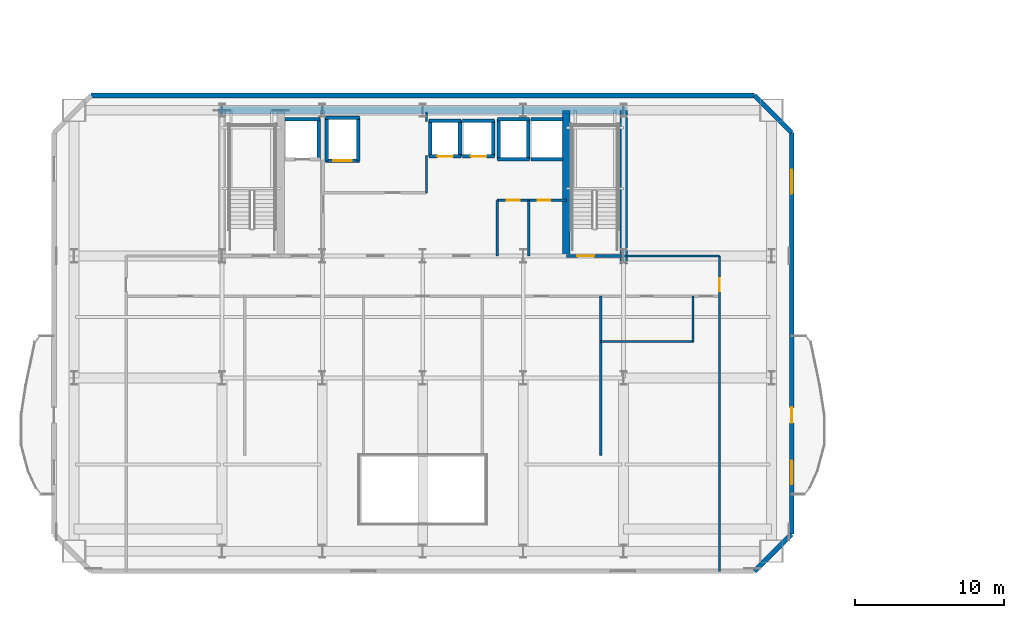
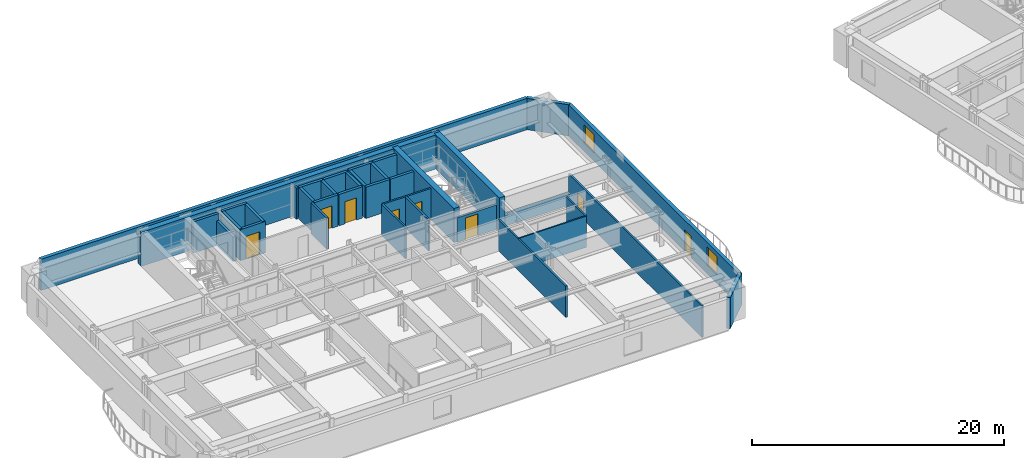
# One storey, part 8 of 16: 37 walls, 8 doors, 2 windows, 10 openings.
"""IFC4 building model written with IfcOpenShell, lengths in metres."""

from ifc_helpers import new_model, si_unit, direction, frame, frame_2d, origin, place, context, subcontext, project, spatial, rectangle, extrude, material, layer, layer_set, type_object, element, fill, save


model = new_model("IFC4")

# Units and contexts
model_context = context("Model", 3, precision=1e-05, world=origin(), true_north=direction((0.0, 1.0)))
body_context = subcontext(model_context, "Body", "Model", "MODEL_VIEW")
ifc_project = project(units=[si_unit("LENGTHUNIT", "METRE"), si_unit("AREAUNIT", "SQUARE_METRE"), si_unit("VOLUMEUNIT", "CUBIC_METRE"), si_unit("PLANEANGLEUNIT", "RADIAN"), si_unit("MASSUNIT", "GRAM", prefix="KILO")], contexts=[model_context])

# Site, building, storey
site_placement = place(None, origin())
site = spatial("IfcSite", under=ifc_project, at=site_placement, CompositionType="ELEMENT")
building_placement = place(site_placement, origin())
building = spatial("IfcBuilding", under=site, at=building_placement, Name="Haevon Station Towers", CompositionType="ELEMENT")
storey_placement = place(building_placement, frame((0.0, 0.0, 90.0)))
storey = spatial("IfcBuildingStorey", under=building, at=storey_placement, Name="L23", CompositionType="ELEMENT", Elevation=90.0)

# Wall, opening, door
ifc_material_1 = material(Name="Gypsum board on steel stud", Category="steel")
ifc_layer_1 = layer(ifc_material_1, 0.199951171875)
ifc_layer_set_1 = layer_set([ifc_layer_1], Name="Gypsum board on steel stud")
wall_type_1 = type_object("IfcWallType", Name="WL-COR200", PredefinedType="PARTITIONING", material=ifc_layer_set_1)
wall_1_placement = place(storey_placement, frame((47.14990234375, 38.199951171875, 0.0), z_axis=(0.0, 0.0, 1.0), x_axis=(1.0, 0.0, 0.0)))
wall_1 = element("IfcWall", 1, at=wall_1_placement, inside=storey, type_object=wall_type_1, Name="WL-ST-ST2-L23", PredefinedType="PARTITIONING", context=body_context, shape_type="SweptSolid", body=[
    extrude(rectangle(XDim=3.85009765625, YDim=0.199951171875, at=frame_2d((1.925048828125, 0.0))), origin(), (0.0, 0.0, 1.0), 2.3798828125),
])
opening_1_placement = place(wall_1_placement, frame((0.75, 0.0, 0.0)))
opening_1 = element("IfcOpeningElement", 2, at=opening_1_placement, cuts=wall_1, Name="Opening DR-ST-ST2-L23", PredefinedType="OPENING", context=body_context, shape_type="SweptSolid", body=[
    extrude(rectangle(XDim=1.1201171875, YDim=2.10009765625, at=frame_2d((0.56005859375, 1.050048828125))), frame((0.0, 0.10986328125, 0.0), z_axis=(0.0, -1.0, 0.0), x_axis=(1.0, 0.0, 0.0)), (0.0, 0.0, 1.0), 0.219970703125),
])
ifc_material_2 = material(Name="Engineered oak timber", Category="wood")
door_type_1 = type_object("IfcDoorType", Name="DR-ST-1120", OperationType="NOTDEFINED", PredefinedType="DOOR", material=ifc_material_2)
door_1_placement = place(opening_1_placement, origin())
door_1 = element("IfcDoor", 3, at=door_1_placement, inside=storey, type_object=door_type_1, Name="L23 Escape Stair ST2 Fire Door", OperationType="SINGLE_SWING_RIGHT", OverallHeight=2.10009765625, OverallWidth=1.1201171875, PredefinedType="DOOR", context=body_context, shape_type="SweptSolid", body=[
    extrude(rectangle(XDim=1.1201171875, YDim=2.10009765625, at=frame_2d((0.56005859375, 1.050048828125))), frame((0.0, 0.02490234375, 0.0), z_axis=(0.0, -1.0, 0.0), x_axis=(1.0, 0.0, 0.0)), (0.0, 0.0, 1.0), 0.050048828125),
])
fill(opening_1, door_1)

# Walls
ifc_material_3 = material(Name="Concrete C60/75", Category="concrete")
ifc_layer_2 = layer(ifc_material_3, 0.5)
ifc_layer_set_2 = layer_set([ifc_layer_2], Name="Concrete C60/75")
wall_type_2 = type_object("IfcWallType", Name="WL-CR500", PredefinedType="SHEAR", material=ifc_layer_set_2)
wall_2_placement = place(storey_placement, frame((23.75, 48.0, 0.0), z_axis=(0.0, 0.0, 1.0), x_axis=(1.0, 0.0, 0.0)))
element("IfcWall", 4, at=wall_2_placement, inside=storey, type_object=wall_type_2, Name="WL-T1CR-L23-N", PredefinedType="SHEAR", context=body_context, shape_type="SweptSolid", body=[
    extrude(rectangle(XDim=27.5, YDim=0.5, at=frame_2d((13.75, 0.0))), origin(), (0.0, 0.0, 1.0), 3.300048828125),
])
wall_3_placement = place(storey_placement, frame((51.0, 37.679931640625, 0.0), z_axis=(0.0, 0.0, 1.0), x_axis=(0.0, 1.0, 0.0)))
element("IfcWall", 5, at=wall_3_placement, inside=storey, type_object=wall_type_2, Name="WL-T1CR-L23-E", PredefinedType="SHEAR", context=body_context, shape_type="SweptSolid", body=[
    extrude(rectangle(XDim=10.320068359375, YDim=0.5, at=frame_2d((5.16015625, 0.0))), origin(), (0.0, 0.0, 1.0), 3.300048828125),
])
wall_4_placement = place(storey_placement, frame((47.14990234375, 38.199951171875, 0.0), z_axis=(0.0, 0.0, 1.0), x_axis=(0.0, 1.0, 0.0)))
element("IfcWall", 6, at=wall_4_placement, inside=storey, type_object=wall_type_2, Name="WL-T1CR-L23-M2", PredefinedType="SHEAR", context=body_context, shape_type="SweptSolid", body=[
    extrude(rectangle(XDim=9.800048828125, YDim=0.5, at=frame_2d((4.89990234375, 0.0))), origin(), (0.0, 0.0, 1.0), 3.300048828125),
])
ifc_material_4 = material(Name="Precast concrete C45/55", Category="concrete")
ifc_layer_3 = layer(ifc_material_4, 0.320068359375)
ifc_layer_set_3 = layer_set([ifc_layer_3], Name="Precast concrete C45/55")
wall_type_3 = type_object("IfcWallType", Name="WL-EXT-PIER320", PredefinedType="SOLIDWALL", material=ifc_layer_set_3)
wall_5_placement = place(storey_placement, frame((15.199951171875, 49.0, 0.0), z_axis=(0.0, 0.0, 1.0), x_axis=(1.0, 0.0, 0.0)))
element("IfcWall", 7, at=wall_5_placement, inside=storey, type_object=wall_type_3, Name="WL-T1-L23-N", PredefinedType="SOLIDWALL", context=body_context, shape_type="SweptSolid", body=[
    extrude(rectangle(XDim=44.60009765625, YDim=0.320068359375, at=frame_2d((22.300048828125, 0.0))), origin(), (0.0, 0.0, 1.0), 3.030029296875),
])
wall_6_placement = place(storey_placement, frame((59.800048828125, 49.0, 0.0), z_axis=(0.0, 0.0, 1.0), x_axis=(0.707106781187, -0.707106781187, 0.0)))
element("IfcWall", 8, at=wall_6_placement, inside=storey, type_object=wall_type_3, Name="WL-T1-L23-NEC", PredefinedType="SOLIDWALL", context=body_context, shape_type="SweptSolid", body=[
    extrude(rectangle(XDim=3.53564453125, YDim=0.320068359375, at=frame_2d((1.767822265625, 0.0))), origin(), (0.0, 0.0, 1.0), 3.030029296875),
])

# Wall, openings, door, windows
wall_7_placement = place(storey_placement, frame((62.300048828125, 46.5, 0.0), z_axis=(0.0, 0.0, 1.0), x_axis=(0.0, -1.0, 0.0)))
wall_7 = element("IfcWall", 9, at=wall_7_placement, inside=storey, type_object=wall_type_3, Name="WL-T1-L23-E", PredefinedType="SOLIDWALL", context=body_context, shape_type="SweptSolid", body=[
    extrude(rectangle(XDim=27.0, YDim=0.320068359375, at=frame_2d((13.5, 0.0))), origin(), (0.0, 0.0, 1.0), 3.030029296875),
])
opening_2_placement = place(wall_7_placement, frame((18.47509765625, 0.0, 0.0)))
opening_2 = element("IfcOpeningElement", 10, at=opening_2_placement, cuts=wall_7, Name="Opening DR-T1-SCAL-L23-E", PredefinedType="OPENING", context=body_context, shape_type="SweptSolid", body=[
    extrude(rectangle(XDim=1.050048828125, YDim=2.10009765625, at=frame_2d((0.52490234375, 1.050048828125))), frame((0.0, 0.169921875, 0.0), z_axis=(0.0, -1.0, 0.0), x_axis=(1.0, 0.0, 0.0)), (0.0, 0.0, 1.0), 0.340087890625),
])
opening_3_placement = place(wall_7_placement, frame((2.5, 0.0, 0.800048828125)))
opening_3 = element("IfcOpeningElement", 11, at=opening_3_placement, cuts=wall_7, Name="Opening WN-END160", PredefinedType="OPENING", context=body_context, shape_type="SweptSolid", body=[
    extrude(rectangle(XDim=1.60009765625, YDim=1.800048828125, at=frame_2d((0.800048828125, 0.89990234375))), frame((0.0, 0.169921875, 0.0), z_axis=(0.0, -1.0, 0.0), x_axis=(1.0, 0.0, 0.0)), (0.0, 0.0, 1.0), 0.340087890625),
])
opening_4_placement = place(wall_7_placement, frame((22.050048828125, 0.0, 0.800048828125)))
opening_4 = element("IfcOpeningElement", 12, at=opening_4_placement, cuts=wall_7, Name="Opening WN-END160", PredefinedType="OPENING", context=body_context, shape_type="SweptSolid", body=[
    extrude(rectangle(XDim=1.60009765625, YDim=1.800048828125, at=frame_2d((0.800048828125, 0.89990234375))), frame((0.0, 0.169921875, 0.0), z_axis=(0.0, -1.0, 0.0), x_axis=(1.0, 0.0, 0.0)), (0.0, 0.0, 1.0), 0.340087890625),
])
ifc_material_5 = material(Name="Thermally broken anodised aluminium and laminated safety glass", Category="aluminium")
door_type_2 = type_object("IfcDoorType", Name="DR-BALC-1050", OperationType="NOTDEFINED", PredefinedType="DOOR", material=ifc_material_5)
door_2_placement = place(opening_2_placement, origin())
door_2 = element("IfcDoor", 13, at=door_2_placement, inside=storey, type_object=door_type_2, Name="Tower 1 L23 East Scalloped Balcony Door", OperationType="SINGLE_SWING_LEFT", OverallHeight=2.10009765625, OverallWidth=1.050048828125, PredefinedType="DOOR", context=body_context, shape_type="SweptSolid", body=[
    extrude(rectangle(XDim=1.050048828125, YDim=2.10009765625, at=frame_2d((0.52490234375, 1.050048828125))), frame((0.0, 0.02490234375, 0.0), z_axis=(0.0, -1.0, 0.0), x_axis=(1.0, 0.0, 0.0)), (0.0, 0.0, 1.0), 0.050048828125),
])
fill(opening_2, door_2)
ifc_material_6 = material(Name="Low-E triple glazing in thermally broken aluminium", Category="aluminium")
window_type = type_object("IfcWindowType", Name="WN-END160", PartitioningType="SINGLE_PANEL", PredefinedType="WINDOW", material=ifc_material_6)
window_1_placement = place(opening_3_placement, origin())
window_1 = element("IfcWindow", 14, at=window_1_placement, inside=storey, type_object=window_type, Name="WN-T1-L23-E01", OverallHeight=1.800048828125, OverallWidth=1.60009765625, PartitioningType="SINGLE_PANEL", PredefinedType="WINDOW", context=body_context, shape_type="SweptSolid", body=[
    extrude(rectangle(XDim=1.60009765625, YDim=1.800048828125, at=frame_2d((0.800048828125, 0.89990234375))), frame((0.0, 0.030029296875, 0.0), z_axis=(0.0, -1.0, 0.0), x_axis=(1.0, 0.0, 0.0)), (0.0, 0.0, 1.0), 0.06005859375),
])
fill(opening_3, window_1)
window_2_placement = place(opening_4_placement, origin())
window_2 = element("IfcWindow", 15, at=window_2_placement, inside=storey, type_object=window_type, Name="WN-T1-L23-E02", OverallHeight=1.800048828125, OverallWidth=1.60009765625, PartitioningType="SINGLE_PANEL", PredefinedType="WINDOW", context=body_context, shape_type="SweptSolid", body=[
    extrude(rectangle(XDim=1.60009765625, YDim=1.800048828125, at=frame_2d((0.800048828125, 0.89990234375))), frame((0.0, 0.030029296875, 0.0), z_axis=(0.0, -1.0, 0.0), x_axis=(1.0, 0.0, 0.0)), (0.0, 0.0, 1.0), 0.06005859375),
])
fill(opening_4, window_2)

# Walls
wall_8_placement = place(storey_placement, frame((62.300048828125, 19.5, 0.0), z_axis=(0.0, 0.0, 1.0), x_axis=(-0.707106781187, -0.707106781187, 0.0)))
element("IfcWall", 16, at=wall_8_placement, inside=storey, type_object=wall_type_3, Name="WL-T1-L23-SEC", PredefinedType="SOLIDWALL", context=body_context, shape_type="SweptSolid", body=[
    extrude(rectangle(XDim=3.53564453125, YDim=0.320068359375, at=frame_2d((1.767822265625, 0.0))), origin(), (0.0, 0.0, 1.0), 3.030029296875),
])
ifc_layer_4 = layer(ifc_material_1, 0.125)
ifc_layer_set_4 = layer_set([ifc_layer_4], Name="Gypsum board on steel stud")
wall_type_4 = type_object("IfcWallType", Name="WL-PRT125", PredefinedType="PARTITIONING", material=ifc_layer_set_4)
wall_9_placement = place(storey_placement, frame((49.469970703125, 32.449951171875, 0.0), z_axis=(0.0, 0.0, 1.0), x_axis=(1.0, 0.0, 0.0)))
element("IfcWall", 17, at=wall_9_placement, inside=storey, type_object=wall_type_4, Name="WL-T1PT-L23-16", PredefinedType="PARTITIONING", context=body_context, shape_type="SweptSolid", body=[
    extrude(rectangle(XDim=6.199951171875, YDim=0.125, at=frame_2d((3.10009765625, 0.0))), origin(), (0.0, 0.0, 1.0), 3.030029296875),
])
wall_10_placement = place(storey_placement, frame((55.669921875, 32.449951171875, 0.0), z_axis=(0.0, 0.0, 1.0), x_axis=(0.0, 1.0, 0.0)))
element("IfcWall", 18, at=wall_10_placement, inside=storey, type_object=wall_type_4, Name="WL-T1PT-L23-17", PredefinedType="PARTITIONING", context=body_context, shape_type="SweptSolid", body=[
    extrude(rectangle(XDim=3.050048828125, YDim=0.125, at=frame_2d((1.52490234375, 0.0))), origin(), (0.0, 0.0, 1.0), 3.030029296875),
])
ifc_layer_5 = layer(ifc_material_1, 0.159912109375)
ifc_layer_set_5 = layer_set([ifc_layer_5], Name="Gypsum board on steel stud")
wall_type_5 = type_object("IfcWallType", Name="WL-PRT160", PredefinedType="PARTITIONING", material=ifc_layer_set_5)
wall_11_placement = place(storey_placement, frame((37.75, 42.449951171875, 0.0), z_axis=(0.0, 0.0, 1.0), x_axis=(0.0, 1.0, 0.0)))
element("IfcWall", 19, at=wall_11_placement, inside=storey, type_object=wall_type_5, Name="WL-T1CW-L23-02", PredefinedType="PARTITIONING", context=body_context, shape_type="SweptSolid", body=[
    extrude(rectangle(XDim=2.5, YDim=0.159912109375, at=frame_2d((1.25, 0.0))), origin(), (0.0, 0.0, 1.0), 3.030029296875),
])
wall_12_placement = place(storey_placement, frame((37.75, 47.25, 0.0), z_axis=(0.0, 0.0, 1.0), x_axis=(0.0, 1.0, 0.0)))
element("IfcWall", 20, at=wall_12_placement, inside=storey, type_object=wall_type_5, Name="WL-T1CW-L23-03", PredefinedType="PARTITIONING", context=body_context, shape_type="SweptSolid", body=[
    extrude(rectangle(XDim=0.64990234375, YDim=0.159912109375, at=frame_2d((0.324951171875, 0.0))), origin(), (0.0, 0.0, 1.0), 3.030029296875),
])
for number, where, z_axis, x_axis, name in (
    (21, (42.5, 38.199951171875, 0.0), (0.0, 0.0, 1.0), (0.0, 1.0, 0.0), "WL-T1CW-L23-04"),
    (22, (44.6298828125, 38.199951171875, 0.0), (0.0, 0.0, 1.0), (0.0, 1.0, 0.0), "WL-T1CW-L23-05"),
):
    element("IfcWall", number, at=place(storey_placement, frame(where, z_axis=z_axis, x_axis=x_axis)), inside=storey, type_object=wall_type_5, Name=name, PredefinedType="PARTITIONING", context=body_context, shape_type="SweptSolid", body=[
        extrude(rectangle(XDim=3.75, YDim=0.159912109375, at=frame_2d((1.875, 0.0))), origin(), (0.0, 0.0, 1.0), 3.030029296875),
    ])

# Wall, openings, doors
wall_13_placement = place(storey_placement, frame((42.5, 41.949951171875, 0.0), z_axis=(0.0, 0.0, 1.0), x_axis=(1.0, 0.0, 0.0)))
wall_13 = element("IfcWall", 23, at=wall_13_placement, inside=storey, type_object=wall_type_5, Name="WL-T1CW-L23-06", PredefinedType="PARTITIONING", context=body_context, shape_type="SweptSolid", body=[
    extrude(rectangle(XDim=4.64990234375, YDim=0.159912109375, at=frame_2d((2.324951171875, 0.0))), origin(), (0.0, 0.0, 1.0), 3.030029296875),
])
opening_5_placement = place(wall_13_placement, frame((0.659912109375, 0.0, 0.0)))
opening_5 = element("IfcOpeningElement", 24, at=opening_5_placement, cuts=wall_13, Name="Opening DR-WL-T1CW-L23-06-1", PredefinedType="OPENING", context=body_context, shape_type="SweptSolid", body=[
    extrude(rectangle(XDim=0.85009765625, YDim=2.050048828125, at=frame_2d((0.425048828125, 1.02490234375))), frame((0.0, 0.08984375, 0.0), z_axis=(0.0, -1.0, 0.0), x_axis=(1.0, 0.0, 0.0)), (0.0, 0.0, 1.0), 0.179931640625),
])
opening_6_placement = place(wall_13_placement, frame((2.72998046875, 0.0, 0.0)))
opening_6 = element("IfcOpeningElement", 25, at=opening_6_placement, cuts=wall_13, Name="Opening DR-WL-T1CW-L23-06-2", PredefinedType="OPENING", context=body_context, shape_type="SweptSolid", body=[
    extrude(rectangle(XDim=0.85009765625, YDim=2.050048828125, at=frame_2d((0.425048828125, 1.02490234375))), frame((0.0, 0.08984375, 0.0), z_axis=(0.0, -1.0, 0.0), x_axis=(1.0, 0.0, 0.0)), (0.0, 0.0, 1.0), 0.179931640625),
])
door_type_3 = type_object("IfcDoorType", Name="DR-FD30-850", OperationType="NOTDEFINED", PredefinedType="DOOR", material=ifc_material_2)
door_3_placement = place(opening_5_placement, origin())
door_3 = element("IfcDoor", 26, at=door_3_placement, inside=storey, type_object=door_type_3, Name="L23 Tower 1 Core Room Door 6-1", OperationType="SINGLE_SWING_LEFT", OverallHeight=2.050048828125, OverallWidth=0.85009765625, PredefinedType="DOOR", context=body_context, shape_type="SweptSolid", body=[
    extrude(rectangle(XDim=0.85009765625, YDim=2.050048828125, at=frame_2d((0.425048828125, 1.02490234375))), frame((0.0, 0.02490234375, 0.0), z_axis=(0.0, -1.0, 0.0), x_axis=(1.0, 0.0, 0.0)), (0.0, 0.0, 1.0), 0.050048828125),
])
fill(opening_5, door_3)
door_4_placement = place(opening_6_placement, origin())
door_4 = element("IfcDoor", 27, at=door_4_placement, inside=storey, type_object=door_type_3, Name="L23 Tower 1 Core Room Door 6-2", OperationType="SINGLE_SWING_RIGHT", OverallHeight=2.050048828125, OverallWidth=0.85009765625, PredefinedType="DOOR", context=body_context, shape_type="SweptSolid", body=[
    extrude(rectangle(XDim=0.85009765625, YDim=2.050048828125, at=frame_2d((0.425048828125, 1.02490234375))), frame((0.0, 0.02490234375, 0.0), z_axis=(0.0, -1.0, 0.0), x_axis=(1.0, 0.0, 0.0)), (0.0, 0.0, 1.0), 0.050048828125),
])
fill(opening_6, door_4)

# Wall
wall_14_placement = place(storey_placement, frame((51.0, 38.199951171875, 0.0), z_axis=(0.0, 0.0, 1.0), x_axis=(1.0, 0.0, 0.0)))
element("IfcWall", 28, at=wall_14_placement, inside=storey, type_object=wall_type_5, Name="WL-T1PT-L23-02", PredefinedType="PARTITIONING", context=body_context, shape_type="SweptSolid", body=[
    extrude(rectangle(XDim=6.449951171875, YDim=0.159912109375, at=frame_2d((3.22509765625, 0.0))), origin(), (0.0, 0.0, 1.0), 1.22998046875),
])

# Wall, opening, door
wall_15_placement = place(storey_placement, frame((57.449951171875, 17.0, 0.0), z_axis=(0.0, 0.0, 1.0), x_axis=(0.0, 1.0, 0.0)))
wall_15 = element("IfcWall", 29, at=wall_15_placement, inside=storey, type_object=wall_type_5, Name="WL-T1PT-L23-04", PredefinedType="PARTITIONING", context=body_context, shape_type="SweptSolid", body=[
    extrude(rectangle(XDim=21.199951171875, YDim=0.159912109375, at=frame_2d((10.60009765625, 0.0))), origin(), (0.0, 0.0, 1.0), 3.030029296875),
])
opening_7_placement = place(wall_15_placement, frame((18.820068359375, 0.0, 0.0)))
opening_7 = element("IfcOpeningElement", 30, at=opening_7_placement, cuts=wall_15, Name="Opening DR-WL-T1PT-L23-04-01", PredefinedType="OPENING", context=body_context, shape_type="SweptSolid", body=[
    extrude(rectangle(XDim=0.89990234375, YDim=2.050048828125, at=frame_2d((0.449951171875, 1.02490234375))), frame((0.0, 0.08984375, 0.0), z_axis=(0.0, -1.0, 0.0), x_axis=(1.0, 0.0, 0.0)), (0.0, 0.0, 1.0), 0.179931640625),
])
door_type_4 = type_object("IfcDoorType", Name="DR-INT-900", OperationType="NOTDEFINED", PredefinedType="DOOR", material=ifc_material_2)
door_5_placement = place(opening_7_placement, origin())
door_5 = element("IfcDoor", 31, at=door_5_placement, inside=storey, type_object=door_type_4, Name="L23 Tower 1 Room Door 4-1", OperationType="SINGLE_SWING_RIGHT", OverallHeight=2.050048828125, OverallWidth=0.89990234375, PredefinedType="DOOR", context=body_context, shape_type="SweptSolid", body=[
    extrude(rectangle(XDim=0.89990234375, YDim=2.050048828125, at=frame_2d((0.449951171875, 1.02490234375))), frame((0.0, 0.02490234375, 0.0), z_axis=(0.0, -1.0, 0.0), x_axis=(1.0, 0.0, 0.0)), (0.0, 0.0, 1.0), 0.050048828125),
])
fill(opening_7, door_5)

# Walls
wall_16_placement = place(storey_placement, frame((49.469970703125, 24.800048828125, 0.0), z_axis=(0.0, 0.0, 1.0), x_axis=(0.0, 1.0, 0.0)))
element("IfcWall", 32, at=wall_16_placement, inside=storey, type_object=wall_type_5, Name="WL-T1PT-L23-14", PredefinedType="PARTITIONING", context=body_context, shape_type="SweptSolid", body=[
    extrude(rectangle(XDim=10.699951171875, YDim=0.159912109375, at=frame_2d((5.35009765625, 0.0))), origin(), (0.0, 0.0, 1.0), 3.030029296875),
])
ifc_material_7 = material(Name="Concrete C40/50", Category="concrete")
ifc_layer_6 = layer(ifc_material_7, 0.239990234375)
ifc_layer_set_6 = layer_set([ifc_layer_6], Name="Concrete C40/50")
wall_type_6 = type_object("IfcWallType", Name="WL-SHF240", PredefinedType="PARTITIONING", material=ifc_layer_set_6)
wall_17_placement = place(storey_placement, frame((28.219970703125, 47.39990234375, 0.0), z_axis=(0.0, 0.0, 1.0), x_axis=(1.0, 0.0, 0.0)))
element("IfcWall", 33, at=wall_17_placement, inside=storey, type_object=wall_type_6, Name="WL-SHF-FL1-L23-N", PredefinedType="PARTITIONING", context=body_context, shape_type="SweptSolid", body=[
    extrude(rectangle(XDim=2.360107421875, YDim=0.239990234375, at=frame_2d((1.18017578125, 0.0))), origin(), (0.0, 0.0, 1.0), 3.030029296875),
])
wall_18_placement = place(storey_placement, frame((30.5, 44.699951171875, 0.0), z_axis=(0.0, 0.0, 1.0), x_axis=(0.0, 1.0, 0.0)))
element("IfcWall", 34, at=wall_18_placement, inside=storey, type_object=wall_type_6, Name="WL-SHF-FL1-L23-E", PredefinedType="PARTITIONING", context=body_context, shape_type="SweptSolid", body=[
    extrude(rectangle(XDim=2.699951171875, YDim=0.239990234375, at=frame_2d((1.35009765625, 0.0))), origin(), (0.0, 0.0, 1.0), 2.3798828125),
])

# Wall, opening, door
wall_19_placement = place(storey_placement, frame((30.969970703125, 44.60009765625, 0.0), z_axis=(0.0, 0.0, 1.0), x_axis=(1.0, 0.0, 0.0)))
wall_19 = element("IfcWall", 35, at=wall_19_placement, inside=storey, type_object=wall_type_6, Name="WL-SHF-SL1-L23", PredefinedType="PARTITIONING", context=body_context, shape_type="SweptSolid", body=[
    extrude(rectangle(XDim=2.260009765625, YDim=0.239990234375, at=frame_2d((1.1298828125, 0.0))), origin(), (0.0, 0.0, 1.0), 3.030029296875),
])
opening_8_placement = place(wall_19_placement, frame((0.5048828125, 0.0, 0.0)))
opening_8 = element("IfcOpeningElement", 36, at=opening_8_placement, cuts=wall_19, Name="Opening LD-SL1-L23", PredefinedType="OPENING", context=body_context, shape_type="SweptSolid", body=[
    extrude(rectangle(XDim=1.25, YDim=2.199951171875, at=frame_2d((0.625, 1.10009765625))), frame((0.0, 0.1298828125, 0.0), z_axis=(0.0, -1.0, 0.0), x_axis=(1.0, 0.0, 0.0)), (0.0, 0.0, 1.0), 0.260009765625),
])
ifc_material_8 = material(Name="Stainless steel and rated core", Category="steel")
door_type_5 = type_object("IfcDoorType", Name="LD-SL1250", OperationType="SLIDING_TO_LEFT", PredefinedType="DOOR", material=ifc_material_8)
door_6_placement = place(opening_8_placement, origin())
door_6 = element("IfcDoor", 37, at=door_6_placement, inside=storey, type_object=door_type_5, Name="L23 Lift SL1 Sliding Landing Door", OperationType="SLIDING_TO_LEFT", OverallHeight=2.199951171875, OverallWidth=1.25, PredefinedType="DOOR", context=body_context, shape_type="SweptSolid", body=[
    extrude(rectangle(XDim=1.25, YDim=2.199951171875, at=frame_2d((0.625, 1.10009765625))), frame((0.0, 0.02490234375, 0.0), z_axis=(0.0, -1.0, 0.0), x_axis=(1.0, 0.0, 0.0)), (0.0, 0.0, 1.0), 0.050048828125),
])
fill(opening_8, door_6)

# Walls
wall_20_placement = place(storey_placement, frame((30.969970703125, 47.5, 0.0), z_axis=(0.0, 0.0, 1.0), x_axis=(1.0, 0.0, 0.0)))
element("IfcWall", 38, at=wall_20_placement, inside=storey, type_object=wall_type_6, Name="WL-SHF-SL1-L23-N", PredefinedType="PARTITIONING", context=body_context, shape_type="SweptSolid", body=[
    extrude(rectangle(XDim=2.260009765625, YDim=0.239990234375, at=frame_2d((1.1298828125, 0.0))), origin(), (0.0, 0.0, 1.0), 3.030029296875),
])
for number, where, z_axis, x_axis, name in (
    (39, (31.050048828125, 44.60009765625, 0.0), (0.0, 0.0, 1.0), (0.0, 1.0, 0.0), "WL-SHF-SL1-L23-W"),
    (40, (33.14990234375, 44.60009765625, 0.0), (0.0, 0.0, 1.0), (0.0, 1.0, 0.0), "WL-SHF-SL1-L23-E"),
):
    element("IfcWall", number, at=place(storey_placement, frame(where, z_axis=z_axis, x_axis=x_axis)), inside=storey, type_object=wall_type_6, Name=name, PredefinedType="PARTITIONING", context=body_context, shape_type="SweptSolid", body=[
        extrude(rectangle(XDim=2.89990234375, YDim=0.239990234375, at=frame_2d((1.449951171875, 0.0))), origin(), (0.0, 0.0, 1.0), 3.030029296875),
    ])

# Wall, opening, door
wall_21_placement = place(storey_placement, frame((37.919921875, 44.89990234375, 0.0), z_axis=(0.0, 0.0, 1.0), x_axis=(1.0, 0.0, 0.0)))
wall_21 = element("IfcWall", 41, at=wall_21_placement, inside=storey, type_object=wall_type_6, Name="WL-SHF-PL3-L23", PredefinedType="PARTITIONING", context=body_context, shape_type="SweptSolid", body=[
    extrude(rectangle(XDim=2.16015625, YDim=0.239990234375, at=frame_2d((1.080078125, 0.0))), origin(), (0.0, 0.0, 1.0), 3.030029296875),
])
opening_9_placement = place(wall_21_placement, frame((0.554931640625, 0.0, 0.0)))
opening_9 = element("IfcOpeningElement", 42, at=opening_9_placement, cuts=wall_21, Name="Opening LD-PL3-L23", PredefinedType="OPENING", context=body_context, shape_type="SweptSolid", body=[
    extrude(rectangle(XDim=1.050048828125, YDim=2.14990234375, at=frame_2d((0.52490234375, 1.074951171875))), frame((0.0, 0.1298828125, 0.0), z_axis=(0.0, -1.0, 0.0), x_axis=(1.0, 0.0, 0.0)), (0.0, 0.0, 1.0), 0.260009765625),
])
door_type_6 = type_object("IfcDoorType", Name="LD-PL1050", OperationType="SLIDING_TO_LEFT", PredefinedType="DOOR", material=ifc_material_8)
door_7_placement = place(opening_9_placement, origin())
door_7 = element("IfcDoor", 43, at=door_7_placement, inside=storey, type_object=door_type_6, Name="L23 Lift PL3 Sliding Landing Door", OperationType="SLIDING_TO_LEFT", OverallHeight=2.14990234375, OverallWidth=1.050048828125, PredefinedType="DOOR", context=body_context, shape_type="SweptSolid", body=[
    extrude(rectangle(XDim=1.050048828125, YDim=2.14990234375, at=frame_2d((0.52490234375, 1.074951171875))), frame((0.0, 0.02490234375, 0.0), z_axis=(0.0, -1.0, 0.0), x_axis=(1.0, 0.0, 0.0)), (0.0, 0.0, 1.0), 0.050048828125),
])
fill(opening_9, door_7)

# Walls
wall_22_placement = place(storey_placement, frame((37.919921875, 47.300048828125, 0.0), z_axis=(0.0, 0.0, 1.0), x_axis=(1.0, 0.0, 0.0)))
element("IfcWall", 44, at=wall_22_placement, inside=storey, type_object=wall_type_6, Name="WL-SHF-PL3-L23-N", PredefinedType="PARTITIONING", context=body_context, shape_type="SweptSolid", body=[
    extrude(rectangle(XDim=2.16015625, YDim=0.239990234375, at=frame_2d((1.080078125, 0.0))), origin(), (0.0, 0.0, 1.0), 3.030029296875),
])
for number, where, z_axis, x_axis, name in (
    (45, (38.0, 44.89990234375, 0.0), (0.0, 0.0, 1.0), (0.0, 1.0, 0.0), "WL-SHF-PL3-L23-W"),
    (46, (40.0, 44.89990234375, 0.0), (0.0, 0.0, 1.0), (0.0, 1.0, 0.0), "WL-SHF-PL3-L23-E"),
):
    element("IfcWall", number, at=place(storey_placement, frame(where, z_axis=z_axis, x_axis=x_axis)), inside=storey, type_object=wall_type_6, Name=name, PredefinedType="PARTITIONING", context=body_context, shape_type="SweptSolid", body=[
        extrude(rectangle(XDim=2.400146484375, YDim=0.239990234375, at=frame_2d((1.2001953125, 0.0))), origin(), (0.0, 0.0, 1.0), 3.030029296875),
    ])

# Wall, opening, door
wall_23_placement = place(storey_placement, frame((40.169921875, 44.89990234375, 0.0), z_axis=(0.0, 0.0, 1.0), x_axis=(1.0, 0.0, 0.0)))
wall_23 = element("IfcWall", 47, at=wall_23_placement, inside=storey, type_object=wall_type_6, Name="WL-SHF-PL4-L23", PredefinedType="PARTITIONING", context=body_context, shape_type="SweptSolid", body=[
    extrude(rectangle(XDim=2.16015625, YDim=0.239990234375, at=frame_2d((1.080078125, 0.0))), origin(), (0.0, 0.0, 1.0), 3.030029296875),
])
opening_10_placement = place(wall_23_placement, frame((0.554931640625, 0.0, 0.0)))
opening_10 = element("IfcOpeningElement", 48, at=opening_10_placement, cuts=wall_23, Name="Opening LD-PL4-L23", PredefinedType="OPENING", context=body_context, shape_type="SweptSolid", body=[
    extrude(rectangle(XDim=1.050048828125, YDim=2.14990234375, at=frame_2d((0.52490234375, 1.074951171875))), frame((0.0, 0.1298828125, 0.0), z_axis=(0.0, -1.0, 0.0), x_axis=(1.0, 0.0, 0.0)), (0.0, 0.0, 1.0), 0.260009765625),
])
door_8_placement = place(opening_10_placement, origin())
door_8 = element("IfcDoor", 49, at=door_8_placement, inside=storey, type_object=door_type_6, Name="L23 Lift PL4 Sliding Landing Door", OperationType="SLIDING_TO_LEFT", OverallHeight=2.14990234375, OverallWidth=1.050048828125, PredefinedType="DOOR", context=body_context, shape_type="SweptSolid", body=[
    extrude(rectangle(XDim=1.050048828125, YDim=2.14990234375, at=frame_2d((0.52490234375, 1.074951171875))), frame((0.0, 0.02490234375, 0.0), z_axis=(0.0, -1.0, 0.0), x_axis=(1.0, 0.0, 0.0)), (0.0, 0.0, 1.0), 0.050048828125),
])
fill(opening_10, door_8)

# Walls
wall_24_placement = place(storey_placement, frame((40.169921875, 47.300048828125, 0.0), z_axis=(0.0, 0.0, 1.0), x_axis=(1.0, 0.0, 0.0)))
element("IfcWall", 50, at=wall_24_placement, inside=storey, type_object=wall_type_6, Name="WL-SHF-PL4-L23-N", PredefinedType="PARTITIONING", context=body_context, shape_type="SweptSolid", body=[
    extrude(rectangle(XDim=2.16015625, YDim=0.239990234375, at=frame_2d((1.080078125, 0.0))), origin(), (0.0, 0.0, 1.0), 3.030029296875),
])
wall_25_placement = place(storey_placement, frame((42.25, 44.89990234375, 0.0), z_axis=(0.0, 0.0, 1.0), x_axis=(0.0, 1.0, 0.0)))
element("IfcWall", 51, at=wall_25_placement, inside=storey, type_object=wall_type_6, Name="WL-SHF-PL4-L23-E", PredefinedType="PARTITIONING", context=body_context, shape_type="SweptSolid", body=[
    extrude(rectangle(XDim=2.400146484375, YDim=0.239990234375, at=frame_2d((1.2001953125, 0.0))), origin(), (0.0, 0.0, 1.0), 3.030029296875),
])
for number, where, z_axis, x_axis, name in (
    (52, (42.52001953125, 44.699951171875, 0.0), (0.0, 0.0, 1.0), (1.0, 0.0, 0.0), "WL-SHF-PL5-L23"),
    (53, (42.52001953125, 47.39990234375, 0.0), (0.0, 0.0, 1.0), (1.0, 0.0, 0.0), "WL-SHF-PL5-L23-N"),
):
    element("IfcWall", number, at=place(storey_placement, frame(where, z_axis=z_axis, x_axis=x_axis)), inside=storey, type_object=wall_type_6, Name=name, PredefinedType="PARTITIONING", context=body_context, shape_type="SweptSolid", body=[
        extrude(rectangle(XDim=2.159912109375, YDim=0.239990234375, at=frame_2d((1.080078125, 0.0))), origin(), (0.0, 0.0, 1.0), 3.030029296875),
    ])
for number, where, z_axis, x_axis, name in (
    (54, (42.60009765625, 44.699951171875, 0.0), (0.0, 0.0, 1.0), (0.0, 1.0, 0.0), "WL-SHF-PL5-L23-W"),
    (55, (44.60009765625, 44.699951171875, 0.0), (0.0, 0.0, 1.0), (0.0, 1.0, 0.0), "WL-SHF-PL5-L23-E"),
):
    element("IfcWall", number, at=place(storey_placement, frame(where, z_axis=z_axis, x_axis=x_axis)), inside=storey, type_object=wall_type_6, Name=name, PredefinedType="PARTITIONING", context=body_context, shape_type="SweptSolid", body=[
        extrude(rectangle(XDim=2.699951171875, YDim=0.239990234375, at=frame_2d((1.35009765625, 0.0))), origin(), (0.0, 0.0, 1.0), 3.030029296875),
    ])
for number, where, z_axis, x_axis, name in (
    (56, (44.77001953125, 44.699951171875, 0.0), (0.0, 0.0, 1.0), (1.0, 0.0, 0.0), "WL-SHF-PL6-L23"),
    (57, (44.77001953125, 47.39990234375, 0.0), (0.0, 0.0, 1.0), (1.0, 0.0, 0.0), "WL-SHF-PL6-L23-N"),
):
    element("IfcWall", number, at=place(storey_placement, frame(where, z_axis=z_axis, x_axis=x_axis)), inside=storey, type_object=wall_type_6, Name=name, PredefinedType="PARTITIONING", context=body_context, shape_type="SweptSolid", body=[
        extrude(rectangle(XDim=2.159912109375, YDim=0.239990234375, at=frame_2d((1.080078125, 0.0))), origin(), (0.0, 0.0, 1.0), 3.030029296875),
    ])

save(model, "model.ifc")
